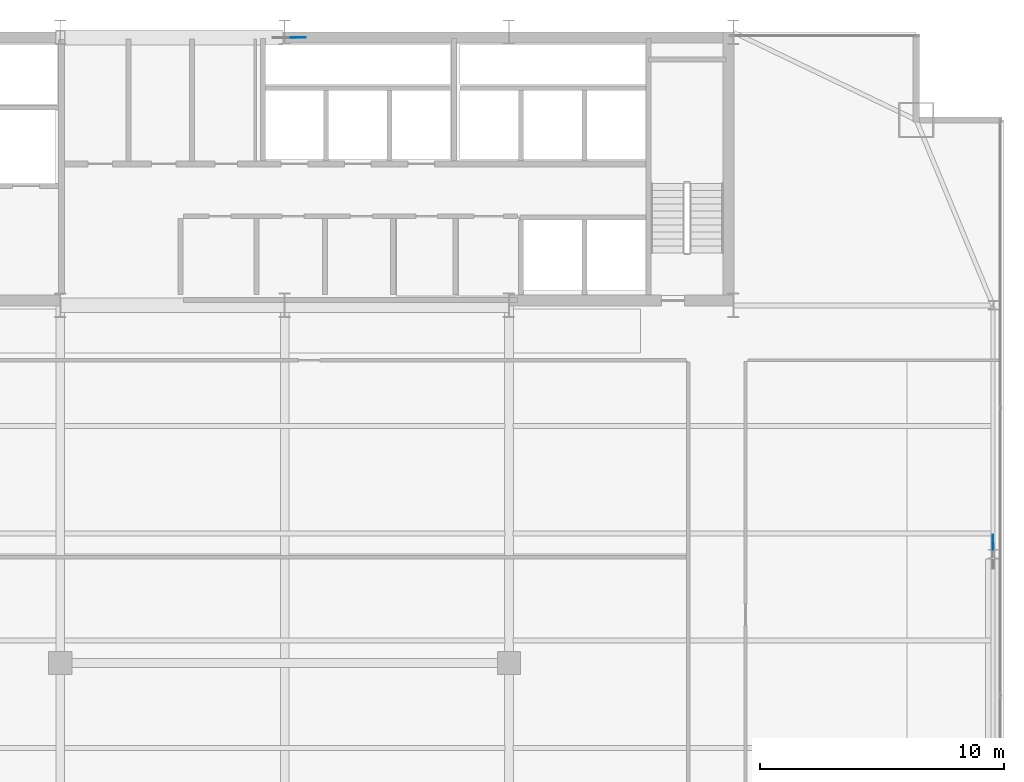
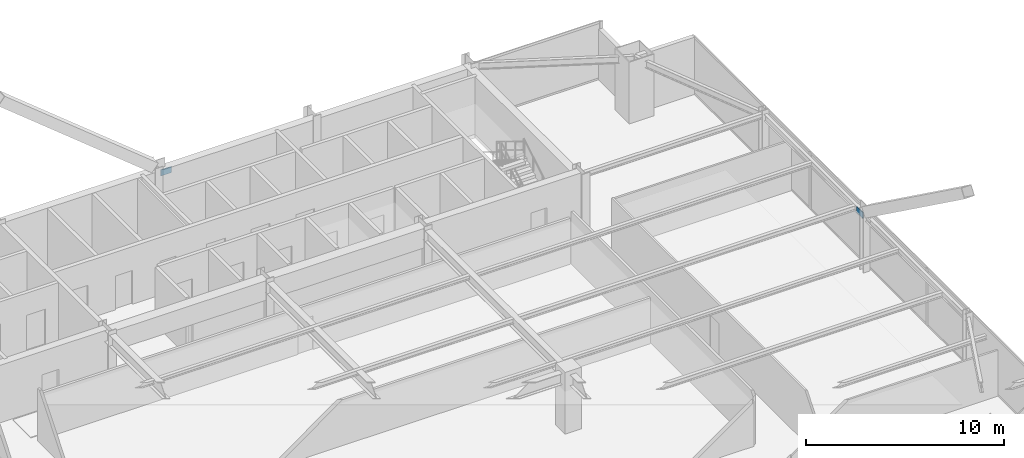
# One storey, part 32 of 37: 2 plates.
"""IFC4 building model written with IfcOpenShell, lengths in metres."""

from ifc_helpers import new_model, si_unit, direction, frame, origin, origin_2d, place, context, subcontext, project, spatial, rectangle, extrude, source, transform, mapped, material, layer, layer_set, type_object, type_shapes, element, save


model = new_model("IFC4")

# Units and contexts
model_context = context("Model", 3, precision=1e-05, world=origin(), true_north=direction((0.0, 1.0)))
body_context = subcontext(model_context, "Body", "Model", "MODEL_VIEW")
ifc_project = project(units=[si_unit("LENGTHUNIT", "METRE"), si_unit("AREAUNIT", "SQUARE_METRE"), si_unit("VOLUMEUNIT", "CUBIC_METRE"), si_unit("PLANEANGLEUNIT", "RADIAN"), si_unit("MASSUNIT", "GRAM", prefix="KILO")], contexts=[model_context])

# Site, building, storey
site_placement = place(None, origin())
site = spatial("IfcSite", under=ifc_project, at=site_placement, CompositionType="ELEMENT")
building_placement = place(site_placement, origin())
building = spatial("IfcBuilding", under=site, at=building_placement, Name="Varnel Quay Broadcast Tower", CompositionType="ELEMENT")
storey_placement = place(building_placement, frame((0.0, 0.0, 106.800048828125)))
storey = spatial("IfcBuildingStorey", under=building, at=storey_placement, Name="L25", CompositionType="ELEMENT", Elevation=106.800048828125)

# Plates
ifc_material = material(Name="Structural Steel CSA G40.21 350WT", Category="steel")
ifc_layer = layer(ifc_material, 0.031982421875, Name="Structural Steel CSA G40.21 350WT")
ifc_layer_set = layer_set([ifc_layer], Name="Structural Steel CSA G40.21 350WT")
plate_type = type_object("IfcPlateType", Name="Plate_EndCap", PredefinedType="USERDEFINED", material=ifc_layer_set)
shared_shape = source(origin(), body_context, "Body", "SweptSolid", [
    extrude(rectangle(XDim=0.6201171875, YDim=0.031982421875, at=origin_2d()), origin(), (0.0, 0.0, 1.0), 0.3798828125),
])
type_shapes(plate_type, [shared_shape])
for number, where, z_axis, x_axis, name in (
    (1, (34.552978515625, 46.580078125, 3.037109375), (0.0, 0.0, 1.0), (1.0, 0.0, 0.0), "Zone 2 Mega-Brace N-CT2 Diag B1 End Connection Plate P1"),
    (2, (63.050048828125, 25.8837890625, 3.0625), (0.0, 0.0, 1.0), (0.0, 1.0, 0.0), "Zone 2 Mega-Brace E-FT2 Diag B1 End Connection Plate P1"),
):
    element("IfcPlate", number, at=place(storey_placement, frame(where, z_axis=z_axis, x_axis=x_axis)), inside=storey, type_object=plate_type, Name=name, ObjectType="CAP_PLATE", PredefinedType="USERDEFINED", context=body_context, shape_type="MappedRepresentation", body=[
        mapped(shared_shape, transform((0.0, 0.0, 0.0), x_axis=(1.0, 0.0, 0.0), y_axis=(0.0, 1.0, 0.0), z_axis=(0.0, 0.0, 1.0), scale=1.0)),
    ])

save(model, "model.ifc")
